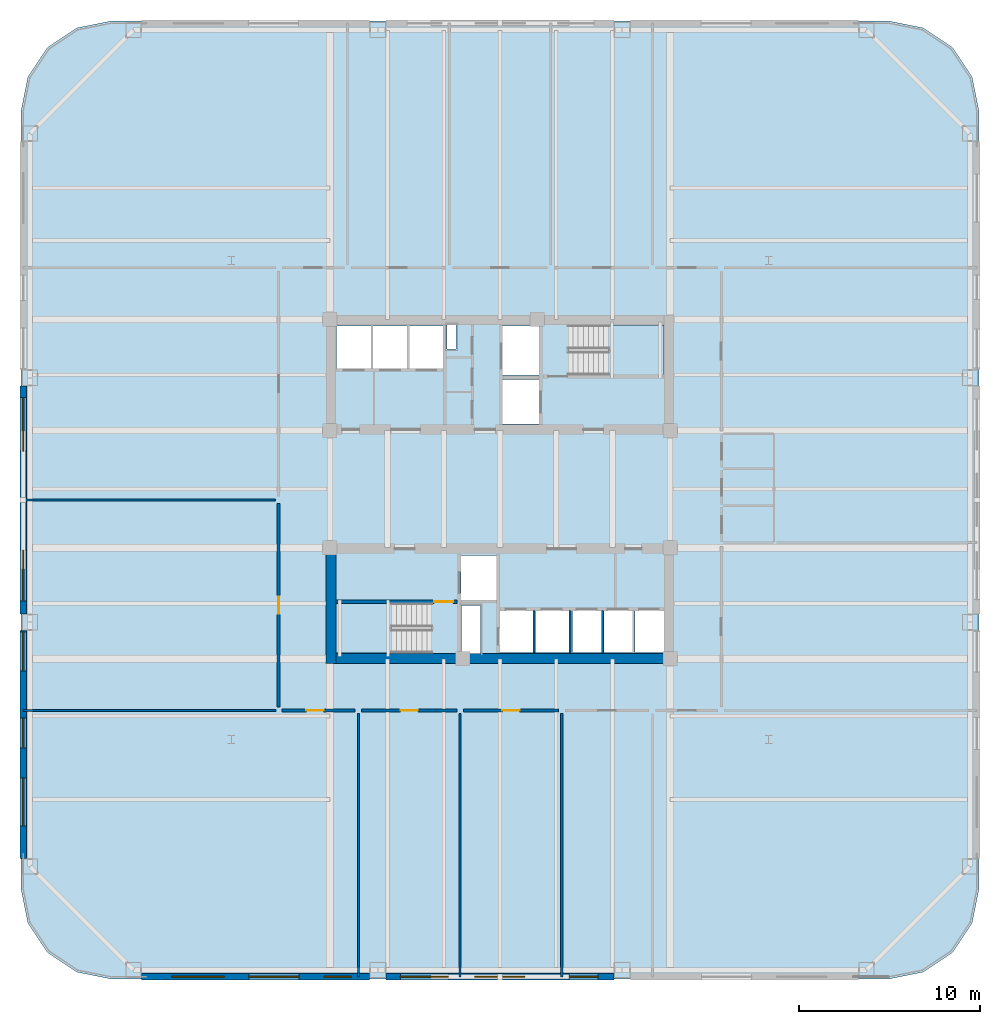
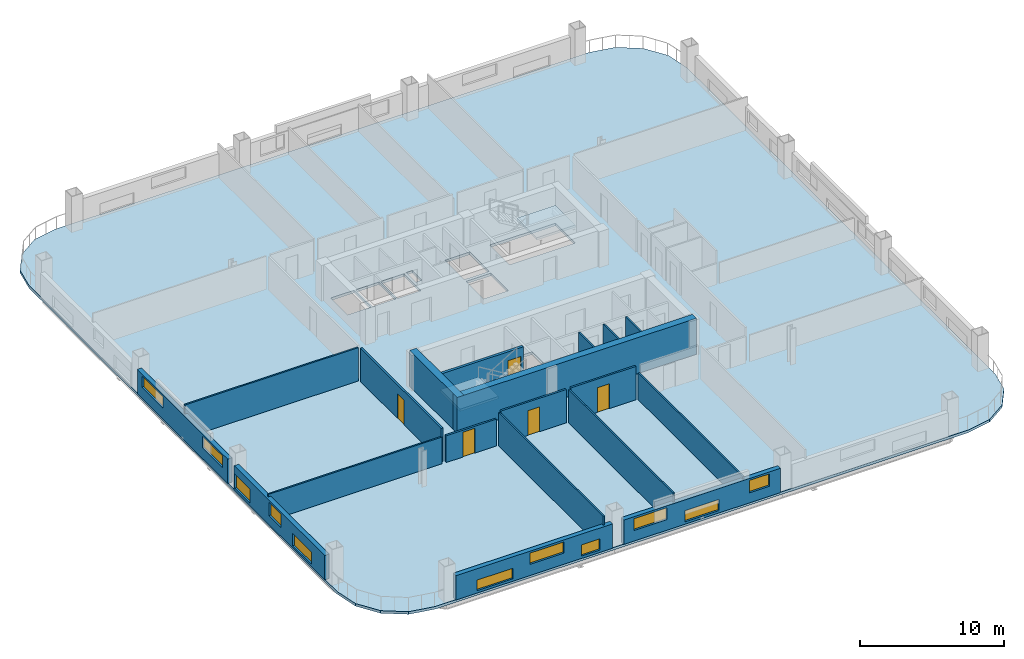
# One storey, part 2 of 12: 19 walls, 11 windows, 5 doors, 3 slabs, 16 openings, 2 elements without a shape of their own.
"""IFC4 building model written with IfcOpenShell, lengths in metres."""

from ifc_helpers import new_model, si_unit, direction, frame, frame_2d, origin, place, context, subcontext, project, spatial, polyline, rectangle, outline, extrude, material, layer, layer_set, type_object, element, fill, aggregate, save


model = new_model("IFC4")

# Units and contexts
model_context = context("Model", 3, precision=1e-05, world=origin(), true_north=direction((0.0, 1.0)))
body_context = subcontext(model_context, "Body", "Model", "MODEL_VIEW")
ifc_project = project(units=[si_unit("LENGTHUNIT", "METRE"), si_unit("AREAUNIT", "SQUARE_METRE"), si_unit("VOLUMEUNIT", "CUBIC_METRE"), si_unit("PLANEANGLEUNIT", "RADIAN"), si_unit("MASSUNIT", "GRAM", prefix="KILO")], contexts=[model_context])

# Site, building, storey
site_placement = place(None, origin())
site = spatial("IfcSite", under=ifc_project, at=site_placement, CompositionType="ELEMENT")
building_placement = place(site_placement, origin())
building = spatial("IfcBuilding", under=site, at=building_placement, Name="Qhalaya Broadcast Tower", CompositionType="ELEMENT")
storey_placement = place(building_placement, frame((0.0, 0.0, 41.35009765625)))
storey = spatial("IfcBuildingStorey", under=building, at=storey_placement, Name="L11", CompositionType="ELEMENT", Elevation=41.35009765625)

# Stair, slab
ifc_material_1 = material(Name="Concrete C40/50", Category="concrete")
stair_type = type_object("IfcStairType", Name="Protected Dogleg Core Stair 3150", PredefinedType="TWO_STRAIGHT_RUN_STAIR", material=ifc_material_1)
stair_1_placement = place(storey_placement, origin())
stair_1 = element("IfcStair", 1, at=stair_1_placement, inside=storey, type_object=stair_type, Name="L11 North Core Exit Stair ST-1", PredefinedType="TWO_STRAIGHT_RUN_STAIR")
ifc_layer_1 = layer(ifc_material_1, 0.199951171875, Name="Concrete C40/50")
ifc_layer_set_1 = layer_set([ifc_layer_1], Name="Concrete C40/50")
slab_type_1 = type_object("IfcSlabType", Name="Stair & Ramp Half-Landing Slab 200", PredefinedType="LANDING", material=ifc_layer_set_1)
slab_1_placement = place(storey_placement, frame((0.0, 0.0, 1.324951171875)))
slab_1 = element("IfcSlab", 2, at=slab_1_placement, type_object=slab_type_1, Name="ST-1 landing 1", PredefinedType="LANDING", context=body_context, shape_type="SweptSolid", body=[
    extrude(outline(polyline([(5.955078125, 6.8798828125), (9.050048828125, 6.8798828125), (9.050048828125, 9.639892578125), (5.955078125, 9.639892578125), (5.955078125, 6.8798828125)])), origin(), (0.0, 0.0, 1.0), 0.199951171875),
])
aggregate(stair_1, [slab_1])

stair_2_placement = place(storey_placement, origin())
stair_2 = element("IfcStair", 3, at=stair_2_placement, inside=storey, type_object=stair_type, Name="L11 South Core Exit Stair ST-2", PredefinedType="TWO_STRAIGHT_RUN_STAIR")
slab_2_placement = place(storey_placement, frame((0.0, 0.0, 1.324951171875)))
slab_2 = element("IfcSlab", 4, at=slab_2_placement, type_object=slab_type_1, Name="ST-2 landing 1", PredefinedType="LANDING", context=body_context, shape_type="SweptSolid", body=[
    extrude(outline(polyline([(-5.955078125, -5.679931640625), (-9.050048828125, -5.679931640625), (-9.050048828125, -8.43994140625), (-5.955078125, -8.43994140625), (-5.955078125, -5.679931640625)])), origin(), (0.0, 0.0, 1.0), 0.199951171875),
])
aggregate(stair_2, [slab_2])

# Slab
ifc_layer_2 = layer(ifc_material_1, 0.219970703125, Name="Concrete C40/50")
ifc_layer_set_2 = layer_set([ifc_layer_2], Name="Concrete C40/50")
slab_type_2 = type_object("IfcSlabType", Name="Tower Composite Floor Slab 220", PredefinedType="FLOOR", material=ifc_layer_set_2)
slab_3_placement = place(storey_placement, frame((0.0, 0.0, -0.22021484375)))
element("IfcSlab", 5, at=slab_3_placement, inside=storey, type_object=slab_type_2, Name="L11 Main Structural Floor Slab", PredefinedType="FLOOR", context=body_context, shape_type="SweptSolid", body=[
    extrude(outline(polyline([(21.39990234375, -26.39990234375), (23.3134765625, -26.019287109375), (24.935546875, -24.935546875), (26.019287109375, -23.3134765625), (26.39990234375, -21.39990234375), (26.39990234375, 21.39990234375), (26.019287109375, 23.3134765625), (24.935546875, 24.935546875), (23.3134765625, 26.019287109375), (21.39990234375, 26.39990234375), (-21.39990234375, 26.39990234375), (-23.3134765625, 26.019287109375), (-24.935546875, 24.935546875), (-26.019287109375, 23.3134765625), (-26.39990234375, 21.39990234375), (-26.39990234375, -21.39990234375), (-26.019287109375, -23.3134765625), (-24.935546875, -24.935546875), (-23.3134765625, -26.019287109375), (-21.39990234375, -26.39990234375), (21.39990234375, -26.39990234375)]), holes=[polyline([(3.784912109375, 9.639892578125), (9.050048828125, 9.639892578125), (9.050048828125, 6.8798828125), (3.784912109375, 6.8798828125), (3.784912109375, 9.639892578125)]), polyline([(-3.784912109375, -8.43994140625), (-9.050048828125, -8.43994140625), (-9.050048828125, -5.679931640625), (-3.784912109375, -5.679931640625), (-3.784912109375, -8.43994140625)]), polyline([(0.14990234375, 6.64990234375), (2.14990234375, 6.64990234375), (2.14990234375, 4.199951171875), (0.14990234375, 4.199951171875), (0.14990234375, 6.64990234375)]), polyline([(0.14990234375, 9.60009765625), (2.14990234375, 9.60009765625), (2.14990234375, 6.89990234375), (0.14990234375, 6.89990234375), (0.14990234375, 9.60009765625)]), polyline([(-2.14990234375, -3.050048828125), (-0.14990234375, -3.050048828125), (-0.14990234375, -5.5), (-2.14990234375, -5.5), (-2.14990234375, -3.050048828125)]), polyline([(-9.0, 9.60009765625), (-7.1201171875, 9.60009765625), (-7.1201171875, 7.25), (-9.0, 7.25), (-9.0, 9.60009765625)]), polyline([(-7.0, 9.60009765625), (-5.1201171875, 9.60009765625), (-5.1201171875, 7.25), (-7.0, 7.25), (-7.0, 9.60009765625)]), polyline([(-5.0, 9.60009765625), (-3.1201171875, 9.60009765625), (-3.1201171875, 7.25), (-5.0, 7.25), (-5.0, 9.60009765625)]), polyline([(-0.050048828125, -6.10009765625), (1.830078125, -6.10009765625), (1.830078125, -8.39990234375), (-0.050048828125, -8.39990234375), (-0.050048828125, -6.10009765625)]), polyline([(1.949951171875, -6.10009765625), (3.830078125, -6.10009765625), (3.830078125, -8.39990234375), (1.949951171875, -8.39990234375), (1.949951171875, -6.10009765625)]), polyline([(4.0, -6.10009765625), (5.60009765625, -6.10009765625), (5.60009765625, -8.39990234375), (4.0, -8.39990234375), (4.0, -6.10009765625)]), polyline([(5.719970703125, -6.10009765625), (7.320068359375, -6.10009765625), (7.320068359375, -8.39990234375), (5.719970703125, -8.39990234375), (5.719970703125, -6.10009765625)]), polyline([(7.43994140625, -6.10009765625), (9.0400390625, -6.10009765625), (9.0400390625, -8.39990234375), (7.43994140625, -8.39990234375), (7.43994140625, -6.10009765625)]), polyline([(-2.919921875, 9.659912109375), (-2.419921875, 9.659912109375), (-2.419921875, 8.320068359375), (-2.919921875, 8.320068359375), (-2.919921875, 9.659912109375)]), polyline([(-2.1201171875, -5.820068359375), (-1.080078125, -5.820068359375), (-1.080078125, -8.4599609375), (-2.1201171875, -8.4599609375), (-2.1201171875, -5.820068359375)])]), origin(), (0.0, 0.0, 1.0), 0.22021484375),
])

# Wall, opening, door
ifc_material_2 = material(Name="Gypsum Acoustic Partition")
ifc_layer_3 = layer(ifc_material_2, 0.14990234375, Name="Gypsum Acoustic Partition")
ifc_layer_set_3 = layer_set([ifc_layer_3], Name="Gypsum Acoustic Partition")
wall_type_1 = type_object("IfcWallType", Name="Corridor & Tenancy Acoustic Partition 150", PredefinedType="PARTITIONING", material=ifc_layer_set_3)
wall_1_placement = place(storey_placement, frame((-12.02001953125, -11.60009765625, 0.0), z_axis=(0.0, 0.0, 1.0), x_axis=(1.0, 0.0, 0.0)))
wall_1 = element("IfcWall", 6, at=wall_1_placement, inside=storey, type_object=wall_type_1, Name="L11 Partition Wall W-COR-06", PredefinedType="PARTITIONING", context=body_context, shape_type="SweptSolid", body=[
    extrude(rectangle(XDim=4.0400390625, YDim=0.14990234375, at=frame_2d((2.02001953125, 0.0))), origin(), (0.0, 0.0, 1.0), 2.27392578125),
])
opening_1_placement = place(wall_1_placement, frame((1.344970703125, 0.0, 0.0)))
opening_1 = element("IfcOpeningElement", 7, at=opening_1_placement, cuts=wall_1, Name="Opening D10", PredefinedType="OPENING", context=body_context, shape_type="SweptSolid", body=[
    extrude(rectangle(XDim=0.949951171875, YDim=2.10009765625, at=frame_2d((0.47509765625, 1.050048828125))), frame((0.0, 0.0869140625, 0.0), z_axis=(0.0, -1.0, 0.0), x_axis=(1.0, 0.0, 0.0)), (0.0, 0.0, 1.0), 0.173828125),
])
ifc_material_3 = material(Name="Timber Veneer Acoustic Door", Category="wood")
door_type_1 = type_object("IfcDoorType", Name="Cellular Office & Edit Booth Door D10", OperationType="NOTDEFINED", PredefinedType="DOOR", material=ifc_material_3)
door_1_placement = place(opening_1_placement, origin())
door_1 = element("IfcDoor", 8, at=door_1_placement, inside=storey, type_object=door_type_1, Name="L11 Door D-RM06", OperationType="SINGLE_SWING_RIGHT", OverallHeight=2.10009765625, OverallWidth=0.949951171875, PredefinedType="DOOR", context=body_context, shape_type="SweptSolid", body=[
    extrude(rectangle(XDim=0.949951171875, YDim=2.10009765625, at=frame_2d((0.47509765625, 1.050048828125))), frame((0.0, 0.02490234375, 0.0), z_axis=(0.0, -1.0, 0.0), x_axis=(1.0, 0.0, 0.0)), (0.0, 0.0, 1.0), 0.050048828125),
])
fill(opening_1, door_1)

wall_2_placement = place(storey_placement, frame((-7.6201171875, -11.60009765625, 0.0), z_axis=(0.0, 0.0, 1.0), x_axis=(1.0, 0.0, 0.0)))
wall_2 = element("IfcWall", 9, at=wall_2_placement, inside=storey, type_object=wall_type_1, Name="L11 Partition Wall W-COR-07", PredefinedType="PARTITIONING", context=body_context, shape_type="SweptSolid", body=[
    extrude(rectangle(XDim=5.240234375, YDim=0.14990234375, at=frame_2d((2.6201171875, 0.0))), origin(), (0.0, 0.0, 1.0), 2.829833984375),
])
opening_2_placement = place(wall_2_placement, frame((2.14501953125, 0.0, 0.0)))
opening_2 = element("IfcOpeningElement", 10, at=opening_2_placement, cuts=wall_2, Name="Opening D10", PredefinedType="OPENING", context=body_context, shape_type="SweptSolid", body=[
    extrude(rectangle(XDim=0.949951171875, YDim=2.10009765625, at=frame_2d((0.47509765625, 1.050048828125))), frame((0.0, 0.0869140625, 0.0), z_axis=(0.0, -1.0, 0.0), x_axis=(1.0, 0.0, 0.0)), (0.0, 0.0, 1.0), 0.173828125),
])
door_2_placement = place(opening_2_placement, origin())
door_2 = element("IfcDoor", 11, at=door_2_placement, inside=storey, type_object=door_type_1, Name="L11 Door D-RM07", OperationType="SINGLE_SWING_LEFT", OverallHeight=2.10009765625, OverallWidth=0.949951171875, PredefinedType="DOOR", context=body_context, shape_type="SweptSolid", body=[
    extrude(rectangle(XDim=0.949951171875, YDim=2.10009765625, at=frame_2d((0.47509765625, 1.050048828125))), frame((0.0, 0.02490234375, 0.0), z_axis=(0.0, -1.0, 0.0), x_axis=(1.0, 0.0, 0.0)), (0.0, 0.0, 1.0), 0.050048828125),
])
fill(opening_2, door_2)

wall_3_placement = place(storey_placement, frame((-2.02001953125, -11.60009765625, 0.0), z_axis=(0.0, 0.0, 1.0), x_axis=(1.0, 0.0, 0.0)))
wall_3 = element("IfcWall", 12, at=wall_3_placement, inside=storey, type_object=wall_type_1, Name="L11 Partition Wall W-COR-08", PredefinedType="PARTITIONING", context=body_context, shape_type="SweptSolid", body=[
    extrude(rectangle(XDim=5.239990234375, YDim=0.14990234375, at=frame_2d((2.6201171875, 0.0))), origin(), (0.0, 0.0, 1.0), 2.829833984375),
])
opening_3_placement = place(wall_3_placement, frame((2.14501953125, 0.0, 0.0)))
opening_3 = element("IfcOpeningElement", 13, at=opening_3_placement, cuts=wall_3, Name="Opening D10", PredefinedType="OPENING", context=body_context, shape_type="SweptSolid", body=[
    extrude(rectangle(XDim=0.949951171875, YDim=2.10009765625, at=frame_2d((0.47509765625, 1.050048828125))), frame((0.0, 0.0869140625, 0.0), z_axis=(0.0, -1.0, 0.0), x_axis=(1.0, 0.0, 0.0)), (0.0, 0.0, 1.0), 0.173828125),
])
door_3_placement = place(opening_3_placement, origin())
door_3 = element("IfcDoor", 14, at=door_3_placement, inside=storey, type_object=door_type_1, Name="L11 Door D-RM08", OperationType="SINGLE_SWING_RIGHT", OverallHeight=2.10009765625, OverallWidth=0.949951171875, PredefinedType="DOOR", context=body_context, shape_type="SweptSolid", body=[
    extrude(rectangle(XDim=0.949951171875, YDim=2.10009765625, at=frame_2d((0.47509765625, 1.050048828125))), frame((0.0, 0.02490234375, 0.0), z_axis=(0.0, -1.0, 0.0), x_axis=(1.0, 0.0, 0.0)), (0.0, 0.0, 1.0), 0.050048828125),
])
fill(opening_3, door_3)

wall_4_placement = place(storey_placement, frame((-12.199951171875, -11.419921875, 0.0), z_axis=(0.0, 0.0, 1.0), x_axis=(0.0, 1.0, 0.0)))
wall_4 = element("IfcWall", 15, at=wall_4_placement, inside=storey, type_object=wall_type_1, Name="L11 Partition Wall W-COR-11", PredefinedType="PARTITIONING", context=body_context, shape_type="SweptSolid", body=[
    extrude(rectangle(XDim=11.239990234375, YDim=0.14990234375, at=frame_2d((5.6201171875, 0.0))), origin(), (0.0, 0.0, 1.0), 2.829833984375),
])
opening_4_placement = place(wall_4_placement, frame((5.14501953125, 0.0, 0.0)))
opening_4 = element("IfcOpeningElement", 16, at=opening_4_placement, cuts=wall_4, Name="Opening D10", PredefinedType="OPENING", context=body_context, shape_type="SweptSolid", body=[
    extrude(rectangle(XDim=0.949951171875, YDim=2.10009765625, at=frame_2d((0.47509765625, 1.050048828125))), frame((0.0, 0.0869140625, 0.0), z_axis=(0.0, -1.0, 0.0), x_axis=(1.0, 0.0, 0.0)), (0.0, 0.0, 1.0), 0.173828125),
])
door_4_placement = place(opening_4_placement, origin())
door_4 = element("IfcDoor", 17, at=door_4_placement, inside=storey, type_object=door_type_1, Name="L11 Door D-RM11", OperationType="SINGLE_SWING_LEFT", OverallHeight=2.10009765625, OverallWidth=0.949951171875, PredefinedType="DOOR", context=body_context, shape_type="SweptSolid", body=[
    extrude(rectangle(XDim=0.949951171875, YDim=2.10009765625, at=frame_2d((0.47509765625, 1.050048828125))), frame((0.0, 0.02490234375, 0.0), z_axis=(0.0, -1.0, 0.0), x_axis=(1.0, 0.0, 0.0)), (0.0, 0.0, 1.0), 0.050048828125),
])
fill(opening_4, door_4)

# Wall, openings, windows
ifc_material_4 = material(Name="Precast Concrete C40/50", Category="concrete")
ifc_layer_4 = layer(ifc_material_4, 0.360107421875, Name="Precast Concrete C40/50")
ifc_layer_set_4 = layer_set([ifc_layer_4], Name="Precast Concrete C40/50")
wall_type_2 = type_object("IfcWallType", Name="Insulated Precast Terracotta Exterior Wall 360", PredefinedType="SOLIDWALL", material=ifc_layer_set_4)
wall_5_placement = place(storey_placement, frame((6.283203125, -26.260009765625, 0.0), z_axis=(0.0, 0.0, 1.0), x_axis=(-1.0, 0.0, 0.0)))
wall_5 = element("IfcWall", 18, at=wall_5_placement, inside=storey, type_object=wall_type_2, Name="L11 Exoskeleton Diagrid Infill Wall S2", PredefinedType="SOLIDWALL", context=body_context, shape_type="SweptSolid", body=[
    extrude(rectangle(XDim=12.56640625, YDim=0.360107421875, at=frame_2d((6.283203125, 0.0))), origin(), (0.0, 0.0, 1.0), 2.06689453125),
])
opening_5_placement = place(wall_5_placement, frame((0.87109375, 0.0, 0.85009765625)))
opening_5 = element("IfcOpeningElement", 19, at=opening_5_placement, cuts=wall_5, Name="Opening W11", PredefinedType="OPENING", context=body_context, shape_type="SweptSolid", body=[
    extrude(rectangle(XDim=1.60009765625, YDim=1.050048828125, at=frame_2d((0.800048828125, 0.52490234375))), frame((0.0, 0.192138671875, 0.0), z_axis=(0.0, -1.0, 0.0), x_axis=(1.0, 0.0, 0.0)), (0.0, 0.0, 1.0), 0.384033203125),
])
opening_6_placement = place(wall_5_placement, frame((4.9208984375, 0.0, 0.199951171875)))
opening_6 = element("IfcOpeningElement", 20, at=opening_6_placement, cuts=wall_5, Name="Opening W11", PredefinedType="OPENING", context=body_context, shape_type="SweptSolid", body=[
    extrude(rectangle(XDim=2.75, YDim=0.949951171875, at=frame_2d((1.375, 0.47509765625))), frame((0.0, 0.192138671875, 0.0), z_axis=(0.0, -1.0, 0.0), x_axis=(1.0, 0.0, 0.0)), (0.0, 0.0, 1.0), 0.384033203125),
])
opening_7_placement = place(wall_5_placement, frame((9.12109375, 0.0, 0.89990234375)))
opening_7 = element("IfcOpeningElement", 21, at=opening_7_placement, cuts=wall_5, Name="Opening W11", PredefinedType="OPENING", context=body_context, shape_type="SweptSolid", body=[
    extrude(rectangle(XDim=2.64990234375, YDim=1.0, at=frame_2d((1.324951171875, 0.5))), frame((0.0, 0.192138671875, 0.0), z_axis=(0.0, -1.0, 0.0), x_axis=(1.0, 0.0, 0.0)), (0.0, 0.0, 1.0), 0.384033203125),
])
ifc_material_5 = material(Name="Solar-Control Low-E Triple Glazing", Category="glass")
window_type = type_object("IfcWindowType", Name="Odd-Block Diagrid Infill Window W11", PartitioningType="SINGLE_PANEL", PredefinedType="WINDOW", material=ifc_material_5)
window_1_placement = place(opening_5_placement, origin())
window_1 = element("IfcWindow", 22, at=window_1_placement, inside=storey, type_object=window_type, Name="L11 Diagrid Infill Window W11-S3", OverallHeight=1.050048828125, OverallWidth=1.60009765625, PartitioningType="SINGLE_PANEL", PredefinedType="WINDOW", context=body_context, shape_type="SweptSolid", body=[
    extrude(rectangle(XDim=1.60009765625, YDim=1.050048828125, at=frame_2d((0.800048828125, 0.52490234375))), frame((0.0, 0.030029296875, 0.0), z_axis=(0.0, -1.0, 0.0), x_axis=(1.0, 0.0, 0.0)), (0.0, 0.0, 1.0), 0.06005859375),
])
fill(opening_5, window_1)
window_2_placement = place(opening_6_placement, origin())
window_2 = element("IfcWindow", 23, at=window_2_placement, inside=storey, type_object=window_type, Name="L11 Diagrid Infill Window W11-S4", OverallHeight=0.949951171875, OverallWidth=2.75, PartitioningType="SINGLE_PANEL", PredefinedType="WINDOW", context=body_context, shape_type="SweptSolid", body=[
    extrude(rectangle(XDim=2.75, YDim=0.949951171875, at=frame_2d((1.375, 0.47509765625))), frame((0.0, 0.030029296875, 0.0), z_axis=(0.0, -1.0, 0.0), x_axis=(1.0, 0.0, 0.0)), (0.0, 0.0, 1.0), 0.06005859375),
])
fill(opening_6, window_2)
window_3_placement = place(opening_7_placement, origin())
window_3 = element("IfcWindow", 24, at=window_3_placement, inside=storey, type_object=window_type, Name="L11 Diagrid Infill Window W11-S5", OverallHeight=1.0, OverallWidth=2.64990234375, PartitioningType="SINGLE_PANEL", PredefinedType="WINDOW", context=body_context, shape_type="SweptSolid", body=[
    extrude(rectangle(XDim=2.64990234375, YDim=1.0, at=frame_2d((1.324951171875, 0.5))), frame((0.0, 0.030029296875, 0.0), z_axis=(0.0, -1.0, 0.0), x_axis=(1.0, 0.0, 0.0)), (0.0, 0.0, 1.0), 0.06005859375),
])
fill(opening_7, window_3)

wall_6_placement = place(storey_placement, frame((-7.183349609375, -26.260009765625, 0.0), z_axis=(0.0, 0.0, 1.0), x_axis=(-1.0, 0.0, 0.0)))
wall_6 = element("IfcWall", 25, at=wall_6_placement, inside=storey, type_object=wall_type_2, Name="L11 Exoskeleton Diagrid Infill Wall S3", PredefinedType="SOLIDWALL", context=body_context, shape_type="SweptSolid", body=[
    extrude(rectangle(XDim=12.57861328125, YDim=0.360107421875, at=frame_2d((6.289306640625, 0.0))), origin(), (0.0, 0.0, 1.0), 2.06689453125),
])
opening_8_placement = place(wall_6_placement, frame((1.0048828125, 0.0, 0.199951171875)))
opening_8 = element("IfcOpeningElement", 26, at=opening_8_placement, cuts=wall_6, Name="Opening W11", PredefinedType="OPENING", context=body_context, shape_type="SweptSolid", body=[
    extrude(rectangle(XDim=1.5, YDim=0.949951171875, at=frame_2d((0.75, 0.47509765625))), frame((0.0, 0.192138671875, 0.0), z_axis=(0.0, -1.0, 0.0), x_axis=(1.0, 0.0, 0.0)), (0.0, 0.0, 1.0), 0.384033203125),
])
opening_9_placement = place(wall_6_placement, frame((3.905029296875, 0.0, 0.949951171875)))
opening_9 = element("IfcOpeningElement", 27, at=opening_9_placement, cuts=wall_6, Name="Opening W11", PredefinedType="OPENING", context=body_context, shape_type="SweptSolid", body=[
    extrude(rectangle(XDim=2.75, YDim=0.949951171875, at=frame_2d((1.375, 0.47509765625))), frame((0.0, 0.192138671875, 0.0), z_axis=(0.0, -1.0, 0.0), x_axis=(1.0, 0.0, 0.0)), (0.0, 0.0, 1.0), 0.384033203125),
])
opening_10_placement = place(wall_6_placement, frame((8.0048828125, 0.0, 0.199951171875)))
opening_10 = element("IfcOpeningElement", 28, at=opening_10_placement, cuts=wall_6, Name="Opening W11", PredefinedType="OPENING", context=body_context, shape_type="SweptSolid", body=[
    extrude(rectangle(XDim=2.89990234375, YDim=0.89990234375, at=frame_2d((1.449951171875, 0.449951171875))), frame((0.0, 0.192138671875, 0.0), z_axis=(0.0, -1.0, 0.0), x_axis=(1.0, 0.0, 0.0)), (0.0, 0.0, 1.0), 0.384033203125),
])
window_4_placement = place(opening_8_placement, origin())
window_4 = element("IfcWindow", 29, at=window_4_placement, inside=storey, type_object=window_type, Name="L11 Diagrid Infill Window W11-S6", OverallHeight=0.949951171875, OverallWidth=1.5, PartitioningType="SINGLE_PANEL", PredefinedType="WINDOW", context=body_context, shape_type="SweptSolid", body=[
    extrude(rectangle(XDim=1.5, YDim=0.949951171875, at=frame_2d((0.75, 0.47509765625))), frame((0.0, 0.030029296875, 0.0), z_axis=(0.0, -1.0, 0.0), x_axis=(1.0, 0.0, 0.0)), (0.0, 0.0, 1.0), 0.06005859375),
])
fill(opening_8, window_4)
window_5_placement = place(opening_9_placement, origin())
window_5 = element("IfcWindow", 30, at=window_5_placement, inside=storey, type_object=window_type, Name="L11 Diagrid Infill Window W11-S7", OverallHeight=0.949951171875, OverallWidth=2.75, PartitioningType="SINGLE_PANEL", PredefinedType="WINDOW", context=body_context, shape_type="SweptSolid", body=[
    extrude(rectangle(XDim=2.75, YDim=0.949951171875, at=frame_2d((1.375, 0.47509765625))), frame((0.0, 0.030029296875, 0.0), z_axis=(0.0, -1.0, 0.0), x_axis=(1.0, 0.0, 0.0)), (0.0, 0.0, 1.0), 0.06005859375),
])
fill(opening_9, window_5)
window_6_placement = place(opening_10_placement, origin())
window_6 = element("IfcWindow", 31, at=window_6_placement, inside=storey, type_object=window_type, Name="L11 Diagrid Infill Window W11-S8", OverallHeight=0.89990234375, OverallWidth=2.89990234375, PartitioningType="SINGLE_PANEL", PredefinedType="WINDOW", context=body_context, shape_type="SweptSolid", body=[
    extrude(rectangle(XDim=2.89990234375, YDim=0.89990234375, at=frame_2d((1.449951171875, 0.449951171875))), frame((0.0, 0.030029296875, 0.0), z_axis=(0.0, -1.0, 0.0), x_axis=(1.0, 0.0, 0.0)), (0.0, 0.0, 1.0), 0.06005859375),
])
fill(opening_10, window_6)

wall_7_placement = place(storey_placement, frame((-26.260009765625, -19.761962890625, 0.0), z_axis=(0.0, 0.0, 1.0), x_axis=(0.0, 1.0, 0.0)))
wall_7 = element("IfcWall", 32, at=wall_7_placement, inside=storey, type_object=wall_type_2, Name="L11 Exoskeleton Diagrid Infill Wall W1", PredefinedType="SOLIDWALL", context=body_context, shape_type="SweptSolid", body=[
    extrude(rectangle(XDim=12.57861328125, YDim=0.360107421875, at=frame_2d((6.289306640625, 0.0))), origin(), (0.0, 0.0, 1.0), 2.06689453125),
])
opening_11_placement = place(wall_7_placement, frame((1.800048828125, 0.0, 0.199951171875)))
opening_11 = element("IfcOpeningElement", 33, at=opening_11_placement, cuts=wall_7, Name="Opening W11", PredefinedType="OPENING", context=body_context, shape_type="SweptSolid", body=[
    extrude(rectangle(XDim=2.64990234375, YDim=1.050048828125, at=frame_2d((1.324951171875, 0.52490234375))), frame((0.0, 0.192138671875, 0.0), z_axis=(0.0, -1.0, 0.0), x_axis=(1.0, 0.0, 0.0)), (0.0, 0.0, 1.0), 0.384033203125),
])
opening_12_placement = place(wall_7_placement, frame((6.10009765625, 0.0, 0.75)))
opening_12 = element("IfcOpeningElement", 34, at=opening_12_placement, cuts=wall_7, Name="Opening W11", PredefinedType="OPENING", context=body_context, shape_type="SweptSolid", body=[
    extrude(rectangle(XDim=1.64990234375, YDim=1.14990234375, at=frame_2d((0.824951171875, 0.574951171875))), frame((0.0, 0.192138671875, 0.0), z_axis=(0.0, -1.0, 0.0), x_axis=(1.0, 0.0, 0.0)), (0.0, 0.0, 1.0), 0.384033203125),
])
opening_13_placement = place(wall_7_placement, frame((10.35009765625, 0.0, 0.199951171875)))
opening_13 = element("IfcOpeningElement", 35, at=opening_13_placement, cuts=wall_7, Name="Opening W11", PredefinedType="OPENING", context=body_context, shape_type="SweptSolid", body=[
    extrude(rectangle(XDim=2.14990234375, YDim=1.199951171875, at=frame_2d((1.074951171875, 0.60009765625))), frame((0.0, 0.192138671875, 0.0), z_axis=(0.0, -1.0, 0.0), x_axis=(1.0, 0.0, 0.0)), (0.0, 0.0, 1.0), 0.384033203125),
])
window_7_placement = place(opening_11_placement, origin())
window_7 = element("IfcWindow", 36, at=window_7_placement, inside=storey, type_object=window_type, Name="L11 Diagrid Infill Window W11-W1", OverallHeight=1.050048828125, OverallWidth=2.64990234375, PartitioningType="SINGLE_PANEL", PredefinedType="WINDOW", context=body_context, shape_type="SweptSolid", body=[
    extrude(rectangle(XDim=2.64990234375, YDim=1.050048828125, at=frame_2d((1.324951171875, 0.52490234375))), frame((0.0, 0.030029296875, 0.0), z_axis=(0.0, -1.0, 0.0), x_axis=(1.0, 0.0, 0.0)), (0.0, 0.0, 1.0), 0.06005859375),
])
fill(opening_11, window_7)
window_8_placement = place(opening_12_placement, origin())
window_8 = element("IfcWindow", 37, at=window_8_placement, inside=storey, type_object=window_type, Name="L11 Diagrid Infill Window W11-W2", OverallHeight=1.14990234375, OverallWidth=1.64990234375, PartitioningType="SINGLE_PANEL", PredefinedType="WINDOW", context=body_context, shape_type="SweptSolid", body=[
    extrude(rectangle(XDim=1.64990234375, YDim=1.14990234375, at=frame_2d((0.824951171875, 0.574951171875))), frame((0.0, 0.030029296875, 0.0), z_axis=(0.0, -1.0, 0.0), x_axis=(1.0, 0.0, 0.0)), (0.0, 0.0, 1.0), 0.06005859375),
])
fill(opening_12, window_8)
window_9_placement = place(opening_13_placement, origin())
window_9 = element("IfcWindow", 38, at=window_9_placement, inside=storey, type_object=window_type, Name="L11 Diagrid Infill Window W11-W3", OverallHeight=1.199951171875, OverallWidth=2.14990234375, PartitioningType="SINGLE_PANEL", PredefinedType="WINDOW", context=body_context, shape_type="SweptSolid", body=[
    extrude(rectangle(XDim=2.14990234375, YDim=1.199951171875, at=frame_2d((1.074951171875, 0.60009765625))), frame((0.0, 0.030029296875, 0.0), z_axis=(0.0, -1.0, 0.0), x_axis=(1.0, 0.0, 0.0)), (0.0, 0.0, 1.0), 0.06005859375),
])
fill(opening_13, window_9)

wall_8_placement = place(storey_placement, frame((-26.260009765625, -6.283203125, 0.0), z_axis=(0.0, 0.0, 1.0), x_axis=(0.0, 1.0, 0.0)))
wall_8 = element("IfcWall", 39, at=wall_8_placement, inside=storey, type_object=wall_type_2, Name="L11 Exoskeleton Diagrid Infill Wall W2", PredefinedType="SOLIDWALL", context=body_context, shape_type="SweptSolid", body=[
    extrude(rectangle(XDim=12.56640625, YDim=0.360107421875, at=frame_2d((6.283203125, 0.0))), origin(), (0.0, 0.0, 1.0), 2.06689453125),
])
opening_14_placement = place(wall_8_placement, frame((0.720947265625, 0.0, 0.89990234375)))
opening_14 = element("IfcOpeningElement", 40, at=opening_14_placement, cuts=wall_8, Name="Opening W11", PredefinedType="OPENING", context=body_context, shape_type="SweptSolid", body=[
    extrude(rectangle(XDim=2.800048828125, YDim=1.0, at=frame_2d((1.39990234375, 0.5))), frame((0.0, 0.192138671875, 0.0), z_axis=(0.0, -1.0, 0.0), x_axis=(1.0, 0.0, 0.0)), (0.0, 0.0, 1.0), 0.384033203125),
])
opening_15_placement = place(wall_8_placement, frame((8.970947265625, 0.0, 0.949951171875)))
opening_15 = element("IfcOpeningElement", 41, at=opening_15_placement, cuts=wall_8, Name="Opening W11", PredefinedType="OPENING", context=body_context, shape_type="SweptSolid", body=[
    extrude(rectangle(XDim=2.949951171875, YDim=0.949951171875, at=frame_2d((1.47509765625, 0.47509765625))), frame((0.0, 0.192138671875, 0.0), z_axis=(0.0, -1.0, 0.0), x_axis=(1.0, 0.0, 0.0)), (0.0, 0.0, 1.0), 0.384033203125),
])
window_10_placement = place(opening_14_placement, origin())
window_10 = element("IfcWindow", 42, at=window_10_placement, inside=storey, type_object=window_type, Name="L11 Diagrid Infill Window W11-W4", OverallHeight=1.0, OverallWidth=2.800048828125, PartitioningType="SINGLE_PANEL", PredefinedType="WINDOW", context=body_context, shape_type="SweptSolid", body=[
    extrude(rectangle(XDim=2.800048828125, YDim=1.0, at=frame_2d((1.39990234375, 0.5))), frame((0.0, 0.030029296875, 0.0), z_axis=(0.0, -1.0, 0.0), x_axis=(1.0, 0.0, 0.0)), (0.0, 0.0, 1.0), 0.06005859375),
])
fill(opening_14, window_10)
window_11_placement = place(opening_15_placement, origin())
window_11 = element("IfcWindow", 43, at=window_11_placement, inside=storey, type_object=window_type, Name="L11 Diagrid Infill Window W11-W5", OverallHeight=0.949951171875, OverallWidth=2.949951171875, PartitioningType="SINGLE_PANEL", PredefinedType="WINDOW", context=body_context, shape_type="SweptSolid", body=[
    extrude(rectangle(XDim=2.949951171875, YDim=0.949951171875, at=frame_2d((1.47509765625, 0.47509765625))), frame((0.0, 0.030029296875, 0.0), z_axis=(0.0, -1.0, 0.0), x_axis=(1.0, 0.0, 0.0)), (0.0, 0.0, 1.0), 0.06005859375),
])
fill(opening_15, window_11)

# Wall, opening, door
ifc_material_6 = material(Name="Concrete C50/60", Category="concrete")
ifc_layer_5 = layer(ifc_material_6, 0.199951171875, Name="Concrete C50/60")
ifc_layer_set_5 = layer_set([ifc_layer_5], Name="Concrete C50/60")
wall_type_3 = type_object("IfcWallType", Name="Load-Bearing Stair Shaft Wall 200", PredefinedType="SHEAR", material=ifc_layer_set_5)
wall_9_placement = place(storey_placement, frame((-9.030029296875, -5.60498046875, 0.0), z_axis=(0.0, 0.0, 1.0), x_axis=(1.0, 0.0, 0.0)))
wall_9 = element("IfcWall", 44, at=wall_9_placement, inside=storey, type_object=wall_type_3, Name="L11 Stair Core Shear Wall SCW-ST2", PredefinedType="SHEAR", context=body_context, shape_type="SweptSolid", body=[
    extrude(rectangle(XDim=6.669921875, YDim=0.199951171875, at=frame_2d((3.3349609375, 0.0))), origin(), (0.0, 0.0, 1.0), 2.829833984375),
])
opening_16_placement = place(wall_9_placement, frame((5.39990234375, 0.0, 0.0)))
opening_16 = element("IfcOpeningElement", 45, at=opening_16_placement, cuts=wall_9, Name="Opening D03", PredefinedType="OPENING", context=body_context, shape_type="SweptSolid", body=[
    extrude(rectangle(XDim=1.050048828125, YDim=2.080078125, at=frame_2d((0.52490234375, 1.0400390625))), frame((0.0, 0.112060546875, 0.0), z_axis=(0.0, -1.0, 0.0), x_axis=(1.0, 0.0, 0.0)), (0.0, 0.0, 1.0), 0.223876953125),
])
ifc_material_7 = material(Name="Fire-Rated Steel Door", Category="steel")
door_type_2 = type_object("IfcDoorType", Name="Core Stair Protected Fire Door D03", OperationType="NOTDEFINED", PredefinedType="DOOR", material=ifc_material_7)
door_5_placement = place(opening_16_placement, origin())
door_5 = element("IfcDoor", 46, at=door_5_placement, inside=storey, type_object=door_type_2, Name="L11 Door D-SST2", OperationType="SINGLE_SWING_RIGHT", OverallHeight=2.080078125, OverallWidth=1.050048828125, PredefinedType="DOOR", context=body_context, shape_type="SweptSolid", body=[
    extrude(rectangle(XDim=1.050048828125, YDim=2.080078125, at=frame_2d((0.52490234375, 1.0400390625))), frame((0.0, 0.02490234375, 0.0), z_axis=(0.0, -1.0, 0.0), x_axis=(1.0, 0.0, 0.0)), (0.0, 0.0, 1.0), 0.050048828125),
])
fill(opening_16, door_5)

# Walls
ifc_material_8 = material(Name="Concrete C60/75", Category="concrete")
ifc_layer_6 = layer(ifc_material_8, 0.550048828125, Name="Concrete C60/75")
ifc_layer_set_6 = layer_set([ifc_layer_6], Name="Concrete C60/75")
wall_type_4 = type_object("IfcWallType", Name="Lower Split-Core Shear Wall 550", PredefinedType="SHEAR", material=ifc_layer_set_6)
wall_10_placement = place(storey_placement, frame((-9.60009765625, -8.72509765625, 0.0), z_axis=(0.0, 0.0, 1.0), x_axis=(1.0, 0.0, 0.0)))
element("IfcWall", 47, at=wall_10_placement, inside=storey, type_object=wall_type_4, Name="L11 Split-Core Shear Wall CW-SS", PredefinedType="SHEAR", context=body_context, shape_type="SweptSolid", body=[
    extrude(rectangle(XDim=19.2001953125, YDim=0.550048828125, at=frame_2d((9.60009765625, 0.0))), origin(), (0.0, 0.0, 1.0), 3.0498046875),
])
wall_11_placement = place(storey_placement, frame((-9.324951171875, -9.0, 0.0), z_axis=(0.0, 0.0, 1.0), x_axis=(0.0, 1.0, 0.0)))
element("IfcWall", 48, at=wall_11_placement, inside=storey, type_object=wall_type_4, Name="L11 Split-Core Shear Wall CW-SW", PredefinedType="SHEAR", context=body_context, shape_type="SweptSolid", body=[
    extrude(rectangle(XDim=6.60009765625, YDim=0.550048828125, at=frame_2d((3.300048828125, 0.0))), origin(), (0.0, 0.0, 1.0), 3.0498046875),
])
ifc_layer_7 = layer(ifc_material_2, 0.1201171875, Name="Gypsum Acoustic Partition")
ifc_layer_set_7 = layer_set([ifc_layer_7], Name="Gypsum Acoustic Partition")
wall_type_5 = type_object("IfcWallType", Name="Office, Booth & Sanitary Partition 120", PredefinedType="PARTITIONING", material=ifc_layer_set_7)
for number, where, z_axis, x_axis, name in (
    (49, (1.8798828125, -8.429931640625, 0.0), (0.0, 0.0, 1.0), (0.0, 1.0, 0.0), "L11 Partition Wall SCW-MD4"),
    (50, (3.85009765625, -8.429931640625, 0.0), (0.0, 0.0, 1.0), (0.0, 1.0, 0.0), "L11 Partition Wall SCW-MD5"),
    (51, (5.639892578125, -8.429931640625, 0.0), (0.0, 0.0, 1.0), (0.0, 1.0, 0.0), "L11 Partition Wall SCW-HD6"),
):
    element("IfcWall", number, at=place(storey_placement, frame(where, z_axis=z_axis, x_axis=x_axis)), inside=storey, type_object=wall_type_5, Name=name, PredefinedType="PARTITIONING", context=body_context, shape_type="SweptSolid", body=[
        extrude(rectangle(XDim=2.329833984375, YDim=0.1201171875, at=frame_2d((1.1650390625, 0.0))), origin(), (0.0, 0.0, 1.0), 2.829833984375),
    ])
wall_12_placement = place(storey_placement, frame((-26.280029296875, -11.60009765625, 0.0), z_axis=(0.0, 0.0, 1.0), x_axis=(1.0, 0.0, 0.0)))
element("IfcWall", 52, at=wall_12_placement, inside=storey, type_object=wall_type_5, Name="L11 Partition Wall W-BNDW2", PredefinedType="PARTITIONING", context=body_context, shape_type="SweptSolid", body=[
    extrude(rectangle(XDim=13.93994140625, YDim=0.1201171875, at=frame_2d((6.969970703125, 0.0))), origin(), (0.0, 0.0, 1.0), 2.27392578125),
])
for number, where, z_axis, x_axis, name in (
    (53, (-7.800048828125, -26.280029296875, 0.0), (0.0, 0.0, 1.0), (0.0, 1.0, 0.0), "L11 Partition Wall W-DIVS1"),
    (54, (-2.199951171875, -26.280029296875, 0.0), (0.0, 0.0, 1.0), (0.0, 1.0, 0.0), "L11 Partition Wall W-DIVS2"),
):
    element("IfcWall", number, at=place(storey_placement, frame(where, z_axis=z_axis, x_axis=x_axis)), inside=storey, type_object=wall_type_5, Name=name, PredefinedType="PARTITIONING", context=body_context, shape_type="SweptSolid", body=[
        extrude(rectangle(XDim=14.52001953125, YDim=0.1201171875, at=frame_2d((7.260009765625, 0.0))), origin(), (0.0, 0.0, 1.0), 2.829833984375),
    ])
wall_13_placement = place(storey_placement, frame((3.39990234375, -26.280029296875, 0.0), z_axis=(0.0, 0.0, 1.0), x_axis=(0.0, 1.0, 0.0)))
element("IfcWall", 55, at=wall_13_placement, inside=storey, type_object=wall_type_5, Name="L11 Partition Wall W-DIVS3", PredefinedType="PARTITIONING", context=body_context, shape_type="SweptSolid", body=[
    extrude(rectangle(XDim=14.52001953125, YDim=0.1201171875, at=frame_2d((7.260009765625, 0.0))), origin(), (0.0, 0.0, 1.0), 2.27392578125),
])
wall_14_placement = place(storey_placement, frame((-26.280029296875, 0.0, 0.0), z_axis=(0.0, 0.0, 1.0), x_axis=(1.0, 0.0, 0.0)))
element("IfcWall", 56, at=wall_14_placement, inside=storey, type_object=wall_type_5, Name="L11 Partition Wall W-DIVW1", PredefinedType="PARTITIONING", context=body_context, shape_type="SweptSolid", body=[
    extrude(rectangle(XDim=13.919921875, YDim=0.1201171875, at=frame_2d((6.9599609375, 0.0))), origin(), (0.0, 0.0, 1.0), 2.829833984375),
])

save(model, "model.ifc")
